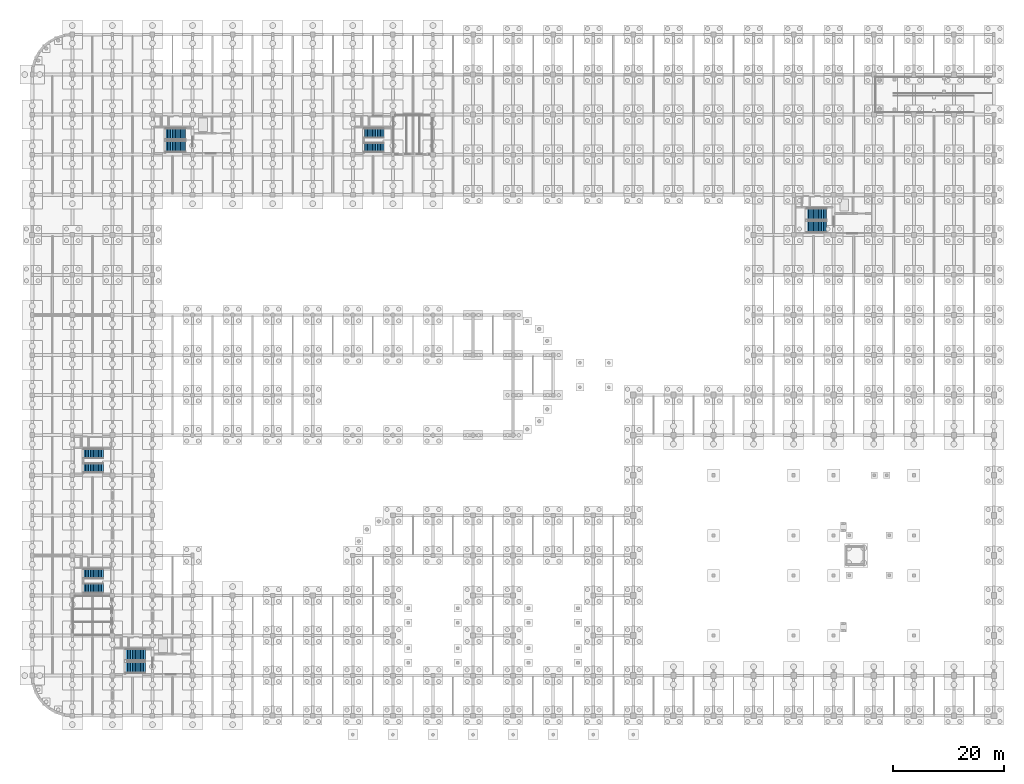
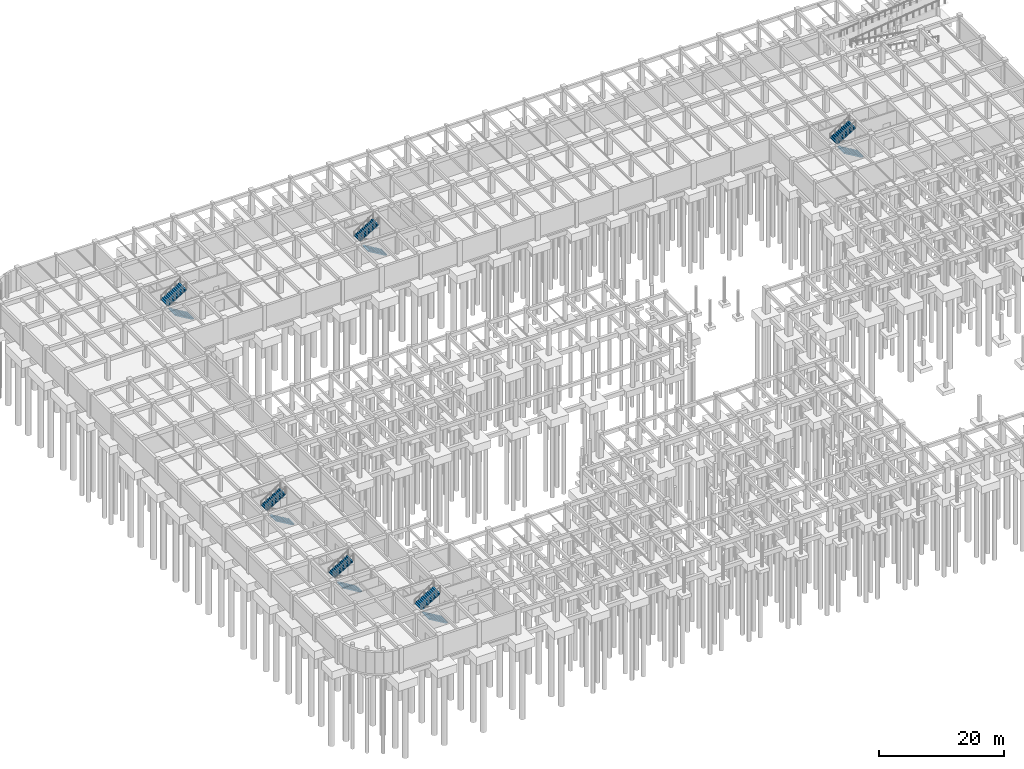
# One storey, part 43 of 47: 12 stair flights, 6 elements without a shape of their own.
"""IFC4 building model written with IfcOpenShell, lengths in metres."""

from ifc_helpers import new_model, si_unit, direction, frame, origin, place, context, subcontext, project, spatial, polyline, outline, extrude, material, type_object, element, aggregate, save


model = new_model("IFC4")

# Units and contexts
model_context = context("Model", 3, precision=1e-05, world=origin(), true_north=direction((0.0, 1.0)))
body_context = subcontext(model_context, "Body", "Model", "MODEL_VIEW")
ifc_project = project(units=[si_unit("LENGTHUNIT", "METRE"), si_unit("AREAUNIT", "SQUARE_METRE"), si_unit("VOLUMEUNIT", "CUBIC_METRE"), si_unit("PLANEANGLEUNIT", "RADIAN"), si_unit("MASSUNIT", "GRAM", prefix="KILO")], contexts=[model_context])

# Site, building, storey
site_placement = place(None, origin())
site = spatial("IfcSite", under=ifc_project, at=site_placement, CompositionType="ELEMENT")
building_placement = place(site_placement, origin())
building = spatial("IfcBuilding", under=site, at=building_placement, Name="Thalmaran Polytechnic", CompositionType="ELEMENT")
storey_placement = place(building_placement, frame((0.0, 0.0, -4.5)))
storey = spatial("IfcBuildingStorey", under=building, at=storey_placement, Name="B1", CompositionType="ELEMENT", Elevation=-4.5)

# Stair, stair flights
ifc_material = material(Name="Concrete C40/50", Category="concrete")
stair_type = type_object("IfcStairType", Name="ST-HT45", PredefinedType="HALF_TURN_STAIR", material=ifc_material)
stair_1_placement = place(storey_placement, origin())
stair_1 = element("IfcStair", 1, at=stair_1_placement, inside=storey, type_object=stair_type, Name="Exit Stair ST1 B1", PredefinedType="HALF_TURN_STAIR")
stair_flight_type = type_object("IfcStairFlightType", Name="SF-FL14", PredefinedType="STRAIGHT", material=ifc_material)
stair_flight_1_placement = place(storey_placement, frame((20.320068359375, 8.56005859375, 0.0), z_axis=(0.0, 0.0, 1.0), x_axis=(-1.0, 0.0, 0.0)))
stair_flight_1 = element("IfcStairFlight", 2, at=stair_flight_1_placement, type_object=stair_flight_type, Name="Stair Flight ST1 B1 Lower", NumberOfRisers=13, NumberOfTreads=12, PredefinedType="STRAIGHT", RiserHeight=0.173077, TreadLength=0.293333, context=body_context, shape_type="SweptSolid", body=[
    extrude(outline(polyline([(0.0, 0.0), (0.0, 0.173095703125), (0.293212890625, 0.173095703125), (0.293212890625, 0.34619140625), (0.586669921875, 0.34619140625), (0.586669921875, 0.519287109375), (0.8798828125, 0.519287109375), (0.8798828125, 0.6923828125), (1.17333984375, 0.6923828125), (1.17333984375, 0.865478515625), (1.466552734375, 0.865478515625), (1.466552734375, 1.03857421875), (1.760009765625, 1.03857421875), (1.760009765625, 1.21142578125), (2.05322265625, 1.21142578125), (2.05322265625, 1.384521484375), (2.3466796875, 1.384521484375), (2.3466796875, 1.5576171875), (2.639892578125, 1.5576171875), (2.639892578125, 1.730712890625), (2.933349609375, 1.730712890625), (2.933349609375, 1.90380859375), (3.2265625, 1.90380859375), (3.2265625, 2.076904296875), (3.52001953125, 2.076904296875), (3.52001953125, 2.25), (3.52001953125, 1.867919921875), (0.35400390625, 0.0), (0.0, 0.0)])), frame((0.0, 1.080078125, 0.0), z_axis=(0.0, -1.0, 0.0), x_axis=(1.0, 0.0, 0.0)), (0.0, 0.0, 1.0), 2.159912109375),
])
stair_flight_2_placement = place(storey_placement, frame((16.800048828125, 11.02001953125, 2.25), z_axis=(0.0, 0.0, 1.0), x_axis=(1.0, 0.0, 0.0)))
stair_flight_2 = element("IfcStairFlight", 3, at=stair_flight_2_placement, type_object=stair_flight_type, Name="Stair Flight ST1 B1 Upper", NumberOfRisers=13, NumberOfTreads=12, PredefinedType="STRAIGHT", RiserHeight=0.173077, TreadLength=0.293333, context=body_context, shape_type="SweptSolid", body=[
    extrude(outline(polyline([(0.0, 0.0), (0.0, 0.173095703125), (0.293212890625, 0.173095703125), (0.293212890625, 0.34619140625), (0.586669921875, 0.34619140625), (0.586669921875, 0.519287109375), (0.8798828125, 0.519287109375), (0.8798828125, 0.6923828125), (1.17333984375, 0.6923828125), (1.17333984375, 0.865478515625), (1.466552734375, 0.865478515625), (1.466552734375, 1.03857421875), (1.760009765625, 1.03857421875), (1.760009765625, 1.21142578125), (2.05322265625, 1.21142578125), (2.05322265625, 1.384521484375), (2.3466796875, 1.384521484375), (2.3466796875, 1.5576171875), (2.639892578125, 1.5576171875), (2.639892578125, 1.730712890625), (2.933349609375, 1.730712890625), (2.933349609375, 1.90380859375), (3.2265625, 1.90380859375), (3.2265625, 2.076904296875), (3.52001953125, 2.076904296875), (3.52001953125, 2.25), (3.52001953125, 1.867919921875), (0.35400390625, 0.0), (0.0, 0.0)])), frame((0.0, 1.080078125, 0.0), z_axis=(0.0, -1.0, 0.0), x_axis=(1.0, 0.0, 0.0)), (0.0, 0.0, 1.0), 2.159912109375),
])
aggregate(stair_1, [stair_flight_1, stair_flight_2])

stair_2_placement = place(storey_placement, origin())
stair_2 = element("IfcStair", 4, at=stair_2_placement, inside=storey, type_object=stair_type, Name="Exit Stair ST2 B1", PredefinedType="HALF_TURN_STAIR")
stair_flight_3_placement = place(storey_placement, frame((27.52001953125, 102.159912109375, 0.0), z_axis=(0.0, 0.0, 1.0), x_axis=(-1.0, 0.0, 0.0)))
stair_flight_3 = element("IfcStairFlight", 5, at=stair_flight_3_placement, type_object=stair_flight_type, Name="Stair Flight ST2 B1 Lower", NumberOfRisers=13, NumberOfTreads=12, PredefinedType="STRAIGHT", RiserHeight=0.173077, TreadLength=0.293333, context=body_context, shape_type="SweptSolid", body=[
    extrude(outline(polyline([(0.0, 0.0), (0.0, 0.173095703125), (0.293212890625, 0.173095703125), (0.293212890625, 0.34619140625), (0.586669921875, 0.34619140625), (0.586669921875, 0.519287109375), (0.8798828125, 0.519287109375), (0.8798828125, 0.6923828125), (1.17333984375, 0.6923828125), (1.17333984375, 0.865478515625), (1.466552734375, 0.865478515625), (1.466552734375, 1.03857421875), (1.760009765625, 1.03857421875), (1.760009765625, 1.21142578125), (2.05322265625, 1.21142578125), (2.05322265625, 1.384521484375), (2.3466796875, 1.384521484375), (2.3466796875, 1.5576171875), (2.639892578125, 1.5576171875), (2.639892578125, 1.730712890625), (2.933349609375, 1.730712890625), (2.933349609375, 1.90380859375), (3.2265625, 1.90380859375), (3.2265625, 2.076904296875), (3.52001953125, 2.076904296875), (3.52001953125, 2.25), (3.52001953125, 1.867919921875), (0.35400390625, 0.0), (0.0, 0.0)])), frame((0.0, 1.080078125, 0.0), z_axis=(0.0, -1.0, 0.0), x_axis=(1.0, 0.0, 0.0)), (0.0, 0.0, 1.0), 2.159912109375),
])
stair_flight_4_placement = place(storey_placement, frame((24.0, 104.6201171875, 2.25), z_axis=(0.0, 0.0, 1.0), x_axis=(1.0, 0.0, 0.0)))
stair_flight_4 = element("IfcStairFlight", 6, at=stair_flight_4_placement, type_object=stair_flight_type, Name="Stair Flight ST2 B1 Upper", NumberOfRisers=13, NumberOfTreads=12, PredefinedType="STRAIGHT", RiserHeight=0.173077, TreadLength=0.293333, context=body_context, shape_type="SweptSolid", body=[
    extrude(outline(polyline([(0.0, 0.0), (0.0, 0.173095703125), (0.293212890625, 0.173095703125), (0.293212890625, 0.34619140625), (0.586669921875, 0.34619140625), (0.586669921875, 0.519287109375), (0.8798828125, 0.519287109375), (0.8798828125, 0.6923828125), (1.17333984375, 0.6923828125), (1.17333984375, 0.865478515625), (1.466552734375, 0.865478515625), (1.466552734375, 1.03857421875), (1.760009765625, 1.03857421875), (1.760009765625, 1.21142578125), (2.05322265625, 1.21142578125), (2.05322265625, 1.384521484375), (2.3466796875, 1.384521484375), (2.3466796875, 1.5576171875), (2.639892578125, 1.5576171875), (2.639892578125, 1.730712890625), (2.933349609375, 1.730712890625), (2.933349609375, 1.90380859375), (3.2265625, 1.90380859375), (3.2265625, 2.076904296875), (3.52001953125, 2.076904296875), (3.52001953125, 2.25), (3.52001953125, 1.867919921875), (0.35400390625, 0.0), (0.0, 0.0)])), frame((0.0, 1.080078125, 0.0), z_axis=(0.0, -1.0, 0.0), x_axis=(1.0, 0.0, 0.0)), (0.0, 0.0, 1.0), 2.159912109375),
])
aggregate(stair_2, [stair_flight_3, stair_flight_4])

stair_3_placement = place(storey_placement, origin())
stair_3 = element("IfcStair", 7, at=stair_3_placement, inside=storey, type_object=stair_type, Name="Exit Stair ST3 B1", PredefinedType="HALF_TURN_STAIR")
stair_flight_5_placement = place(storey_placement, frame((12.760009765625, 22.7900390625, 0.0), z_axis=(0.0, 0.0, 1.0), x_axis=(-1.0, 0.0, 0.0)))
stair_flight_5 = element("IfcStairFlight", 8, at=stair_flight_5_placement, type_object=stair_flight_type, Name="Stair Flight ST3 B1 Lower", NumberOfRisers=13, NumberOfTreads=12, PredefinedType="STRAIGHT", RiserHeight=0.173077, TreadLength=0.291667, context=body_context, shape_type="SweptSolid", body=[
    extrude(outline(polyline([(0.0, 0.0), (0.0, 0.173095703125), (0.291748046875, 0.173095703125), (0.291748046875, 0.34619140625), (0.583251953125, 0.34619140625), (0.583251953125, 0.519287109375), (0.875, 0.519287109375), (0.875, 0.6923828125), (1.166748046875, 0.6923828125), (1.166748046875, 0.865478515625), (1.458251953125, 0.865478515625), (1.458251953125, 1.03857421875), (1.75, 1.03857421875), (1.75, 1.21142578125), (2.041748046875, 1.21142578125), (2.041748046875, 1.384521484375), (2.333251953125, 1.384521484375), (2.333251953125, 1.5576171875), (2.625, 1.5576171875), (2.625, 1.730712890625), (2.916748046875, 1.730712890625), (2.916748046875, 1.90380859375), (3.208251953125, 1.90380859375), (3.208251953125, 2.076904296875), (3.5, 2.076904296875), (3.5, 2.25), (3.5, 1.86767578125), (0.3525390625, 0.0), (0.0, 0.0)])), frame((0.0, 0.91015625, 0.0), z_axis=(0.0, -1.0, 0.0), x_axis=(1.0, 0.0, 0.0)), (0.0, 0.0, 1.0), 1.820068359375),
])
stair_flight_6_placement = place(storey_placement, frame((9.260009765625, 25.590087890625, 2.25), z_axis=(0.0, 0.0, 1.0), x_axis=(1.0, 0.0, 0.0)))
stair_flight_6 = element("IfcStairFlight", 9, at=stair_flight_6_placement, type_object=stair_flight_type, Name="Stair Flight ST3 B1 Upper", NumberOfRisers=13, NumberOfTreads=12, PredefinedType="STRAIGHT", RiserHeight=0.173077, TreadLength=0.291667, context=body_context, shape_type="SweptSolid", body=[
    extrude(outline(polyline([(0.0, 0.0), (0.0, 0.173095703125), (0.291748046875, 0.173095703125), (0.291748046875, 0.34619140625), (0.583251953125, 0.34619140625), (0.583251953125, 0.519287109375), (0.875, 0.519287109375), (0.875, 0.6923828125), (1.166748046875, 0.6923828125), (1.166748046875, 0.865478515625), (1.458251953125, 0.865478515625), (1.458251953125, 1.03857421875), (1.75, 1.03857421875), (1.75, 1.21142578125), (2.041748046875, 1.21142578125), (2.041748046875, 1.384521484375), (2.333251953125, 1.384521484375), (2.333251953125, 1.5576171875), (2.625, 1.5576171875), (2.625, 1.730712890625), (2.916748046875, 1.730712890625), (2.916748046875, 1.90380859375), (3.208251953125, 1.90380859375), (3.208251953125, 2.076904296875), (3.5, 2.076904296875), (3.5, 2.25), (3.5, 1.86767578125), (0.3525390625, 0.0), (0.0, 0.0)])), frame((0.0, 0.91015625, 0.0), z_axis=(0.0, -1.0, 0.0), x_axis=(1.0, 0.0, 0.0)), (0.0, 0.0, 1.0), 1.820068359375),
])
aggregate(stair_3, [stair_flight_5, stair_flight_6])

stair_4_placement = place(storey_placement, origin())
stair_4 = element("IfcStair", 10, at=stair_4_placement, inside=storey, type_object=stair_type, Name="Exit Stair ST4 B1", PredefinedType="HALF_TURN_STAIR")
stair_flight_7_placement = place(storey_placement, frame((12.760009765625, 44.389892578125, 0.0), z_axis=(0.0, 0.0, 1.0), x_axis=(-1.0, 0.0, 0.0)))
stair_flight_7 = element("IfcStairFlight", 11, at=stair_flight_7_placement, type_object=stair_flight_type, Name="Stair Flight ST4 B1 Lower", NumberOfRisers=13, NumberOfTreads=12, PredefinedType="STRAIGHT", RiserHeight=0.173077, TreadLength=0.291667, context=body_context, shape_type="SweptSolid", body=[
    extrude(outline(polyline([(0.0, 0.0), (0.0, 0.173095703125), (0.291748046875, 0.173095703125), (0.291748046875, 0.34619140625), (0.583251953125, 0.34619140625), (0.583251953125, 0.519287109375), (0.875, 0.519287109375), (0.875, 0.6923828125), (1.166748046875, 0.6923828125), (1.166748046875, 0.865478515625), (1.458251953125, 0.865478515625), (1.458251953125, 1.03857421875), (1.75, 1.03857421875), (1.75, 1.21142578125), (2.041748046875, 1.21142578125), (2.041748046875, 1.384521484375), (2.333251953125, 1.384521484375), (2.333251953125, 1.5576171875), (2.625, 1.5576171875), (2.625, 1.730712890625), (2.916748046875, 1.730712890625), (2.916748046875, 1.90380859375), (3.208251953125, 1.90380859375), (3.208251953125, 2.076904296875), (3.5, 2.076904296875), (3.5, 2.25), (3.5, 1.86767578125), (0.3525390625, 0.0), (0.0, 0.0)])), frame((0.0, 0.91015625, 0.0), z_axis=(0.0, -1.0, 0.0), x_axis=(1.0, 0.0, 0.0)), (0.0, 0.0, 1.0), 1.820068359375),
])
stair_flight_8_placement = place(storey_placement, frame((9.260009765625, 47.18994140625, 2.25), z_axis=(0.0, 0.0, 1.0), x_axis=(1.0, 0.0, 0.0)))
stair_flight_8 = element("IfcStairFlight", 12, at=stair_flight_8_placement, type_object=stair_flight_type, Name="Stair Flight ST4 B1 Upper", NumberOfRisers=13, NumberOfTreads=12, PredefinedType="STRAIGHT", RiserHeight=0.173077, TreadLength=0.291667, context=body_context, shape_type="SweptSolid", body=[
    extrude(outline(polyline([(0.0, 0.0), (0.0, 0.173095703125), (0.291748046875, 0.173095703125), (0.291748046875, 0.34619140625), (0.583251953125, 0.34619140625), (0.583251953125, 0.519287109375), (0.875, 0.519287109375), (0.875, 0.6923828125), (1.166748046875, 0.6923828125), (1.166748046875, 0.865478515625), (1.458251953125, 0.865478515625), (1.458251953125, 1.03857421875), (1.75, 1.03857421875), (1.75, 1.21142578125), (2.041748046875, 1.21142578125), (2.041748046875, 1.384521484375), (2.333251953125, 1.384521484375), (2.333251953125, 1.5576171875), (2.625, 1.5576171875), (2.625, 1.730712890625), (2.916748046875, 1.730712890625), (2.916748046875, 1.90380859375), (3.208251953125, 1.90380859375), (3.208251953125, 2.076904296875), (3.5, 2.076904296875), (3.5, 2.25), (3.5, 1.86767578125), (0.3525390625, 0.0), (0.0, 0.0)])), frame((0.0, 0.91015625, 0.0), z_axis=(0.0, -1.0, 0.0), x_axis=(1.0, 0.0, 0.0)), (0.0, 0.0, 1.0), 1.820068359375),
])
aggregate(stair_4, [stair_flight_7, stair_flight_8])

stair_5_placement = place(storey_placement, origin())
stair_5 = element("IfcStair", 13, at=stair_5_placement, inside=storey, type_object=stair_type, Name="Exit Stair ST5 B1", PredefinedType="HALF_TURN_STAIR")
stair_flight_9_placement = place(storey_placement, frame((142.719970703125, 87.760009765625, 0.0), z_axis=(0.0, 0.0, 1.0), x_axis=(-1.0, 0.0, 0.0)))
stair_flight_9 = element("IfcStairFlight", 14, at=stair_flight_9_placement, type_object=stair_flight_type, Name="Stair Flight ST5 B1 Lower", NumberOfRisers=13, NumberOfTreads=12, PredefinedType="STRAIGHT", RiserHeight=0.173077, TreadLength=0.293333, context=body_context, shape_type="SweptSolid", body=[
    extrude(outline(polyline([(0.0, 0.0), (0.0, 0.173095703125), (0.293212890625, 0.173095703125), (0.293212890625, 0.34619140625), (0.586669921875, 0.34619140625), (0.586669921875, 0.519287109375), (0.8798828125, 0.519287109375), (0.8798828125, 0.6923828125), (1.17333984375, 0.6923828125), (1.17333984375, 0.865478515625), (1.466552734375, 0.865478515625), (1.466552734375, 1.03857421875), (1.760009765625, 1.03857421875), (1.760009765625, 1.21142578125), (2.05322265625, 1.21142578125), (2.05322265625, 1.384521484375), (2.3466796875, 1.384521484375), (2.3466796875, 1.5576171875), (2.639892578125, 1.5576171875), (2.639892578125, 1.730712890625), (2.933349609375, 1.730712890625), (2.933349609375, 1.90380859375), (3.2265625, 1.90380859375), (3.2265625, 2.076904296875), (3.52001953125, 2.076904296875), (3.52001953125, 2.25), (3.52001953125, 1.867919921875), (0.35400390625, 0.0), (0.0, 0.0)])), frame((0.0, 1.080078125, 0.0), z_axis=(0.0, -1.0, 0.0), x_axis=(1.0, 0.0, 0.0)), (0.0, 0.0, 1.0), 2.159912109375),
])
stair_flight_10_placement = place(storey_placement, frame((139.199951171875, 90.219970703125, 2.25), z_axis=(0.0, 0.0, 1.0), x_axis=(1.0, 0.0, 0.0)))
stair_flight_10 = element("IfcStairFlight", 15, at=stair_flight_10_placement, type_object=stair_flight_type, Name="Stair Flight ST5 B1 Upper", NumberOfRisers=13, NumberOfTreads=12, PredefinedType="STRAIGHT", RiserHeight=0.173077, TreadLength=0.293333, context=body_context, shape_type="SweptSolid", body=[
    extrude(outline(polyline([(0.0, 0.0), (0.0, 0.173095703125), (0.293212890625, 0.173095703125), (0.293212890625, 0.34619140625), (0.586669921875, 0.34619140625), (0.586669921875, 0.519287109375), (0.8798828125, 0.519287109375), (0.8798828125, 0.6923828125), (1.17333984375, 0.6923828125), (1.17333984375, 0.865478515625), (1.466552734375, 0.865478515625), (1.466552734375, 1.03857421875), (1.760009765625, 1.03857421875), (1.760009765625, 1.21142578125), (2.05322265625, 1.21142578125), (2.05322265625, 1.384521484375), (2.3466796875, 1.384521484375), (2.3466796875, 1.5576171875), (2.639892578125, 1.5576171875), (2.639892578125, 1.730712890625), (2.933349609375, 1.730712890625), (2.933349609375, 1.90380859375), (3.2265625, 1.90380859375), (3.2265625, 2.076904296875), (3.52001953125, 2.076904296875), (3.52001953125, 2.25), (3.52001953125, 1.867919921875), (0.35400390625, 0.0), (0.0, 0.0)])), frame((0.0, 1.080078125, 0.0), z_axis=(0.0, -1.0, 0.0), x_axis=(1.0, 0.0, 0.0)), (0.0, 0.0, 1.0), 2.159912109375),
])
aggregate(stair_5, [stair_flight_9, stair_flight_10])

stair_6_placement = place(storey_placement, origin())
stair_6 = element("IfcStair", 16, at=stair_6_placement, inside=storey, type_object=stair_type, Name="Exit Stair ST6 B1", PredefinedType="HALF_TURN_STAIR")
stair_flight_11_placement = place(storey_placement, frame((63.159912109375, 101.989990234375, 0.0), z_axis=(0.0, 0.0, 1.0), x_axis=(-1.0, 0.0, 0.0)))
stair_flight_11 = element("IfcStairFlight", 17, at=stair_flight_11_placement, type_object=stair_flight_type, Name="Stair Flight ST6 B1 Lower", NumberOfRisers=13, NumberOfTreads=12, PredefinedType="STRAIGHT", RiserHeight=0.173077, TreadLength=0.291667, context=body_context, shape_type="SweptSolid", body=[
    extrude(outline(polyline([(0.0, 0.0), (0.0, 0.173095703125), (0.291748046875, 0.173095703125), (0.291748046875, 0.34619140625), (0.583251953125, 0.34619140625), (0.583251953125, 0.519287109375), (0.875, 0.519287109375), (0.875, 0.6923828125), (1.166748046875, 0.6923828125), (1.166748046875, 0.865478515625), (1.458251953125, 0.865478515625), (1.458251953125, 1.03857421875), (1.75, 1.03857421875), (1.75, 1.21142578125), (2.041748046875, 1.21142578125), (2.041748046875, 1.384521484375), (2.333251953125, 1.384521484375), (2.333251953125, 1.5576171875), (2.625, 1.5576171875), (2.625, 1.730712890625), (2.916748046875, 1.730712890625), (2.916748046875, 1.90380859375), (3.208251953125, 1.90380859375), (3.208251953125, 2.076904296875), (3.5, 2.076904296875), (3.5, 2.25), (3.5, 1.86767578125), (0.3525390625, 0.0), (0.0, 0.0)])), frame((0.0, 0.91015625, 0.0), z_axis=(0.0, -1.0, 0.0), x_axis=(1.0, 0.0, 0.0)), (0.0, 0.0, 1.0), 1.820068359375),
])
stair_flight_12_placement = place(storey_placement, frame((59.659912109375, 104.7900390625, 2.25), z_axis=(0.0, 0.0, 1.0), x_axis=(1.0, 0.0, 0.0)))
stair_flight_12 = element("IfcStairFlight", 18, at=stair_flight_12_placement, type_object=stair_flight_type, Name="Stair Flight ST6 B1 Upper", NumberOfRisers=13, NumberOfTreads=12, PredefinedType="STRAIGHT", RiserHeight=0.173077, TreadLength=0.291667, context=body_context, shape_type="SweptSolid", body=[
    extrude(outline(polyline([(0.0, 0.0), (0.0, 0.173095703125), (0.291748046875, 0.173095703125), (0.291748046875, 0.34619140625), (0.583251953125, 0.34619140625), (0.583251953125, 0.519287109375), (0.875, 0.519287109375), (0.875, 0.6923828125), (1.166748046875, 0.6923828125), (1.166748046875, 0.865478515625), (1.458251953125, 0.865478515625), (1.458251953125, 1.03857421875), (1.75, 1.03857421875), (1.75, 1.21142578125), (2.041748046875, 1.21142578125), (2.041748046875, 1.384521484375), (2.333251953125, 1.384521484375), (2.333251953125, 1.5576171875), (2.625, 1.5576171875), (2.625, 1.730712890625), (2.916748046875, 1.730712890625), (2.916748046875, 1.90380859375), (3.208251953125, 1.90380859375), (3.208251953125, 2.076904296875), (3.5, 2.076904296875), (3.5, 2.25), (3.5, 1.86767578125), (0.3525390625, 0.0), (0.0, 0.0)])), frame((0.0, 0.91015625, 0.0), z_axis=(0.0, -1.0, 0.0), x_axis=(1.0, 0.0, 0.0)), (0.0, 0.0, 1.0), 1.820068359375),
])
aggregate(stair_6, [stair_flight_11, stair_flight_12])

save(model, "model.ifc")
